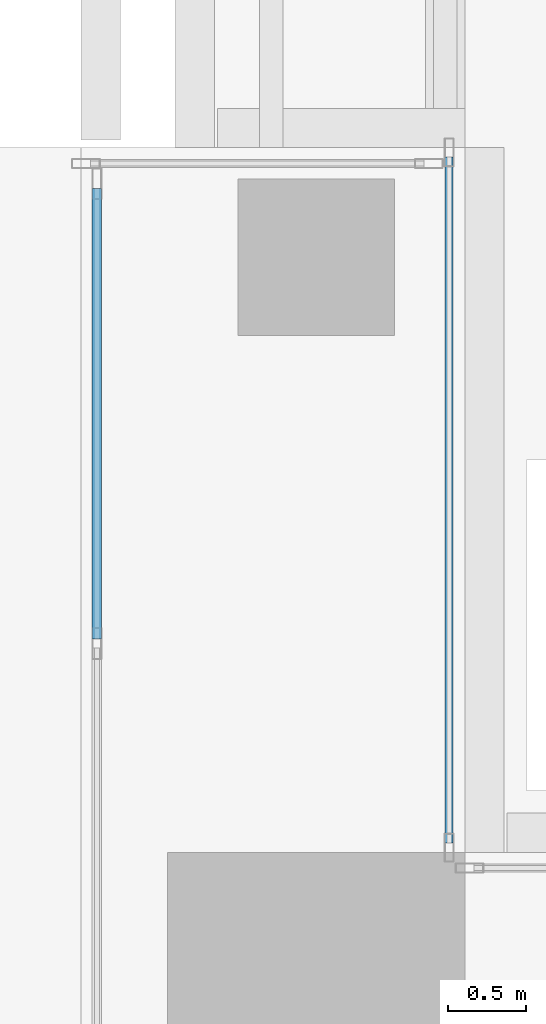
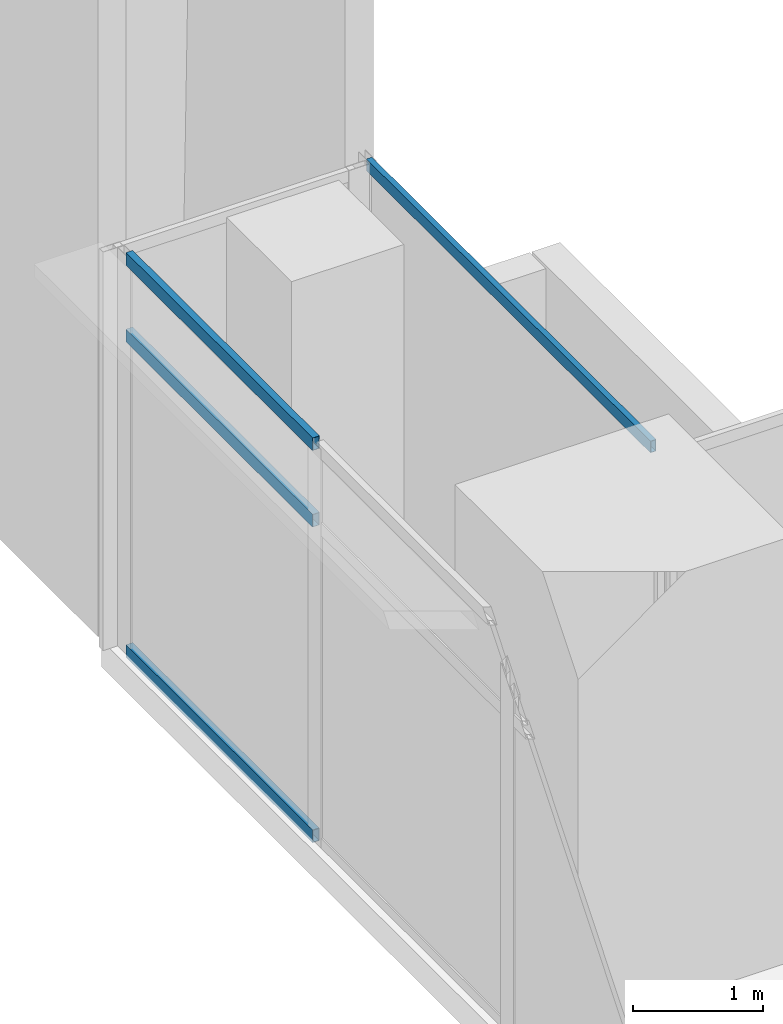
# One storey, part 24 of 43: 4 members, 2 elements without a shape of their own.
"""IFC4 building model written with IfcOpenShell, lengths in metres."""

from ifc_helpers import new_model, si_unit, direction, frame, origin, origin_2d, place, context, subcontext, project, spatial, hollow_rectangle, extrude, source, transform, mapped, material, material_profile, profile_set, type_object, element, aggregate, save


model = new_model("IFC4")

# Units and contexts
model_context = context("Model", 3, precision=1e-05, world=origin(), true_north=direction((0.0, 1.0)))
body_context = subcontext(model_context, "Body", "Model", "MODEL_VIEW")
ifc_project = project(units=[si_unit("LENGTHUNIT", "METRE"), si_unit("AREAUNIT", "SQUARE_METRE"), si_unit("VOLUMEUNIT", "CUBIC_METRE"), si_unit("PLANEANGLEUNIT", "RADIAN"), si_unit("MASSUNIT", "GRAM", prefix="KILO")], contexts=[model_context])

# Site, building, storey
site_placement = place(None, origin())
site = spatial("IfcSite", under=ifc_project, at=site_placement, CompositionType="ELEMENT")
building_placement = place(site_placement, origin())
building = spatial("IfcBuilding", under=site, at=building_placement, Name="Khomas Fold Tower", CompositionType="ELEMENT")
storey_placement = place(building_placement, frame((0.0, 0.0, 164.699951171875)))
storey = spatial("IfcBuildingStorey", under=building, at=storey_placement, Name="L35", CompositionType="ELEMENT", Elevation=164.699951171875)

# Curtain wall, member
ifc_material_1 = material(Name="Aluminium framed double glazing", Category="aluminium")
curtain_wall_type_1 = type_object("IfcCurtainWallType", Name="SK-Unitised clear-glass wall, office floors CW2", PredefinedType="NOTDEFINED", material=ifc_material_1)
curtain_wall_1_placement = place(storey_placement, origin())
curtain_wall_1 = element("IfcCurtainWall", 1, at=curtain_wall_1_placement, inside=storey, type_object=curtain_wall_type_1, Name="CW2 corner return L35 10", PredefinedType="NOTDEFINED")
ifc_material_2 = material(Name="Aluminium", Category="aluminium")
ifc_material_profile_1 = material_profile(ifc_material_2, hollow_rectangle(XDim=0.050048828125, YDim=0.110107421875, WallThickness=0.00390625, at=origin_2d()), Name="SK-Unitised clear-glass wall, office floors transom CW2-T")
ifc_profile_set_1 = profile_set([ifc_material_profile_1], Name="Aluminium")
member_type_1 = type_object("IfcMemberType", Name="SK-Unitised clear-glass wall, office floors transom CW2-T", PredefinedType="USERDEFINED", material=ifc_profile_set_1)
shared_shape_1 = source(origin(), body_context, "Body", "SweptSolid", [
    extrude(hollow_rectangle(XDim=0.050048828125, YDim=0.110107421875, WallThickness=0.00390625, at=origin_2d()), origin(), (0.0, 0.0, 1.0), 4.3798828125),
])
member_1_placement = place(storey_placement, frame((46.39990234375, 46.56005859375, 3.695068359375), z_axis=(0.0, 1.0, 0.0), x_axis=(-1.0, 0.0, 0.0)))
member_1 = element("IfcMember", 2, at=member_1_placement, type_object=member_type_1, Name="CW2 transom 1", ObjectType="TRANSOM", PredefinedType="USERDEFINED", context=body_context, shape_type="MappedRepresentation", body=[
    mapped(shared_shape_1, transform((0.0, 0.0, 0.0))),
])
aggregate(curtain_wall_1, [member_1])

# Curtain wall, members
ifc_material_3 = material(Name="Aluminium framed double glazing", Category="aluminium")
curtain_wall_type_2 = type_object("IfcCurtainWallType", Name="Notch glazing GN-CW", PredefinedType="NOTDEFINED", material=ifc_material_3)
curtain_wall_2_placement = place(storey_placement, origin())
curtain_wall_2 = element("IfcCurtainWall", 3, at=curtain_wall_2_placement, inside=storey, type_object=curtain_wall_type_2, Name="Notch glazing run", PredefinedType="NOTDEFINED")
ifc_material_4 = material(Name="Aluminium", Category="aluminium")
ifc_material_profile_2 = material_profile(ifc_material_4, hollow_rectangle(XDim=0.06005859375, YDim=0.1201171875, WallThickness=0.00390625, at=origin_2d()), Name="Notch glazing transom GN-CW-T")
ifc_profile_set_2 = profile_set([ifc_material_profile_2], Name="Aluminium")
member_type_2 = type_object("IfcMemberType", Name="Notch glazing transom GN-CW-T", PredefinedType="USERDEFINED", material=ifc_profile_set_2)
shared_shape_2 = source(origin(), body_context, "Body", "SweptSolid", [
    extrude(hollow_rectangle(XDim=0.06005859375, YDim=0.1201171875, WallThickness=0.00390625, at=origin_2d()), origin(), (0.0, 0.0, 1.0), 2.876708984375),
])
member_2_placement = place(storey_placement, frame((44.14990234375, 50.739990234375, 0.030029296875), z_axis=(0.0, -1.0, 0.0), x_axis=(1.0, 0.0, 0.0)))
member_2 = element("IfcMember", 4, at=member_2_placement, type_object=member_type_2, Name="GN-CW transom 1.1", ObjectType="TRANSOM", PredefinedType="USERDEFINED", context=body_context, shape_type="MappedRepresentation", body=[
    mapped(shared_shape_2, transform((0.0, 0.0, 0.0))),
])
member_3_placement = place(storey_placement, frame((44.14990234375, 50.739990234375, 3.0), z_axis=(0.0, -1.0, 0.0), x_axis=(1.0, 0.0, 0.0)))
member_3 = element("IfcMember", 5, at=member_3_placement, type_object=member_type_2, Name="GN-CW transom 1.2", ObjectType="TRANSOM", PredefinedType="USERDEFINED", context=body_context, shape_type="MappedRepresentation", body=[
    mapped(shared_shape_2, transform((0.0, 0.0, 0.0))),
])
member_4_placement = place(storey_placement, frame((44.14990234375, 50.739990234375, 3.719970703125), z_axis=(0.0, -1.0, 0.0), x_axis=(1.0, 0.0, 0.0)))
member_4 = element("IfcMember", 6, at=member_4_placement, type_object=member_type_2, Name="GN-CW transom 1.3", ObjectType="TRANSOM", PredefinedType="USERDEFINED", context=body_context, shape_type="MappedRepresentation", body=[
    mapped(shared_shape_2, transform((0.0, 0.0, 0.0))),
])
aggregate(curtain_wall_2, [member_2, member_3, member_4])

save(model, "model.ifc")
